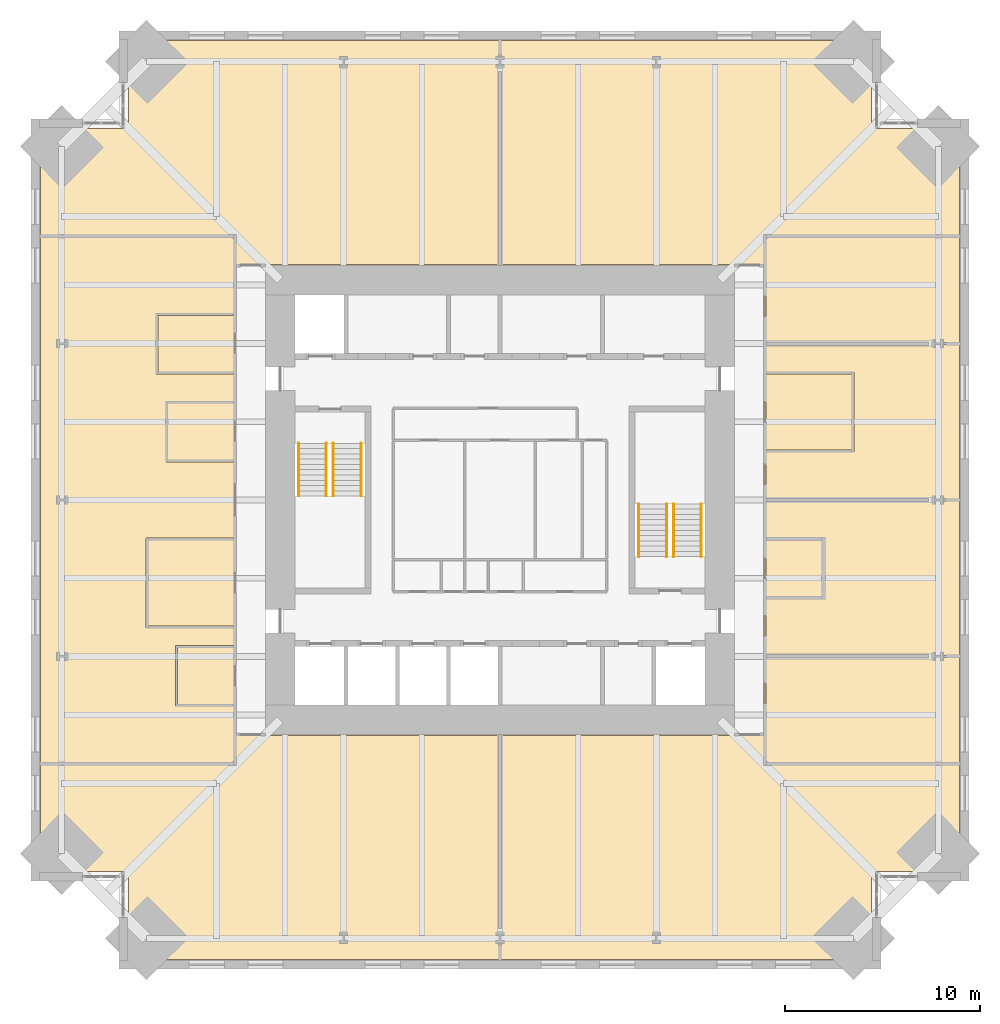
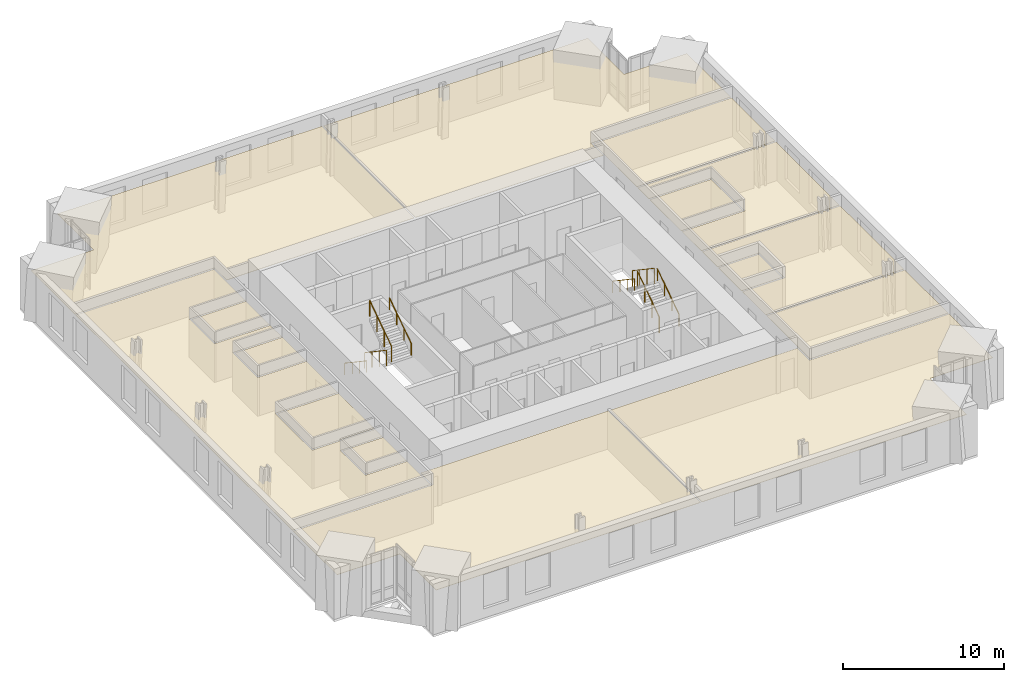
# One storey, part 15 of 15: 15 coverings, 8 railings.
"""IFC4 building model written with IfcOpenShell, lengths in metres."""

from ifc_helpers import new_model, si_unit, direction, frame, origin, origin_2d, place, context, subcontext, project, spatial, polyline, circle, outline, extrude, material, layer, layer_set, type_object, element, save


model = new_model("IFC4")

# Units and contexts
model_context = context("Model", 3, precision=1e-05, world=origin(), true_north=direction((0.0, 1.0)))
body_context = subcontext(model_context, "Body", "Model", "MODEL_VIEW")
ifc_project = project(units=[si_unit("LENGTHUNIT", "METRE"), si_unit("AREAUNIT", "SQUARE_METRE"), si_unit("VOLUMEUNIT", "CUBIC_METRE"), si_unit("PLANEANGLEUNIT", "RADIAN"), si_unit("MASSUNIT", "GRAM", prefix="KILO")], contexts=[model_context])

# Site, building, storey
site_placement = place(None, origin())
site = spatial("IfcSite", under=ifc_project, at=site_placement, CompositionType="ELEMENT")
building_placement = place(site_placement, origin())
building = spatial("IfcBuilding", under=site, at=building_placement, Name="Peilmerk Tower", CompositionType="ELEMENT")
storey_placement = place(building_placement, frame((0.0, 0.0, 209.800048828125)))
storey = spatial("IfcBuildingStorey", under=building, at=storey_placement, Name="L45", CompositionType="ELEMENT", Elevation=209.800048828125)

# Coverings
ifc_material_1 = material(Name="Mineral fibre ceiling tiles", Category="mineral")
ifc_layer = layer(ifc_material_1, 0.02490234375)
ifc_layer_set = layer_set([ifc_layer], Name="Mineral fibre ceiling tiles")
covering_type = type_object("IfcCoveringType", Name="CL1 25 suspended ceiling", PredefinedType="CEILING", material=ifc_layer_set)
covering_1_placement = place(storey_placement, frame((0.0, 0.0, 2.905029296875)))
element("IfcCovering", 1, at=covering_1_placement, inside=storey, type_object=covering_type, Name="Suspended ceiling Open workspace", PredefinedType="CEILING", context=body_context, shape_type="SweptSolid", body=[
    extrude(outline(polyline([(-23.5, 19.0), (-23.5, 13.550048828125), (-13.5, 13.550048828125), (-13.5, 12.050048828125), (-0.050048828125, 12.050048828125), (-0.050048828125, 23.5), (-19.0, 23.5), (-19.0, 19.0), (-23.5, 19.0)])), origin(), (0.0, 0.0, 1.0), 0.02490234375),
])
covering_2_placement = place(storey_placement, frame((0.0, 0.0, 2.905029296875)))
element("IfcCovering", 2, at=covering_2_placement, inside=storey, type_object=covering_type, Name="Suspended ceiling Project room", PredefinedType="CEILING", context=body_context, shape_type="SweptSolid", body=[
    extrude(outline(polyline([(19.0, 23.5), (0.050048828125, 23.5), (0.050048828125, 12.050048828125), (13.5, 12.050048828125), (13.5, 13.550048828125), (23.5, 13.550048828125), (23.5, 19.0), (19.0, 19.0), (19.0, 23.5)])), origin(), (0.0, 0.0, 1.0), 0.02490234375),
])
covering_3_placement = place(storey_placement, frame((0.0, 0.0, 2.905029296875)))
element("IfcCovering", 3, at=covering_3_placement, inside=storey, type_object=covering_type, Name="Suspended ceiling Office", PredefinedType="CEILING", context=body_context, shape_type="SweptSolid", body=[
    extrude(outline(polyline([(-19.0, -23.5), (-0.050048828125, -23.5), (-0.050048828125, -12.050048828125), (-13.5, -12.050048828125), (-13.5, -13.550048828125), (-23.5, -13.550048828125), (-23.5, -19.0), (-19.0, -19.0), (-19.0, -23.5)])), origin(), (0.0, 0.0, 1.0), 0.02490234375),
])
covering_4_placement = place(storey_placement, frame((0.0, 0.0, 2.905029296875)))
element("IfcCovering", 4, at=covering_4_placement, inside=storey, type_object=covering_type, Name="Suspended ceiling Open workspace", PredefinedType="CEILING", context=body_context, shape_type="SweptSolid", body=[
    extrude(outline(polyline([(0.050048828125, -23.5), (19.0, -23.5), (19.0, -19.0), (23.5, -19.0), (23.5, -13.550048828125), (13.5, -13.550048828125), (13.5, -12.050048828125), (0.050048828125, -12.050048828125), (0.050048828125, -23.5)])), origin(), (0.0, 0.0, 1.0), 0.02490234375),
])
covering_5_placement = place(storey_placement, frame((0.0, 0.0, 2.905029296875)))
element("IfcCovering", 5, at=covering_5_placement, inside=storey, type_object=covering_type, Name="Suspended ceiling Project room", PredefinedType="CEILING", context=body_context, shape_type="SweptSolid", body=[
    extrude(outline(polyline([(23.5, -13.449951171875), (23.5, -8.050048828125), (13.60009765625, -8.050048828125), (13.60009765625, -13.449951171875), (23.5, -13.449951171875)])), origin(), (0.0, 0.0, 1.0), 0.02490234375),
])
covering_6_placement = place(storey_placement, frame((0.0, 0.0, 2.905029296875)))
element("IfcCovering", 6, at=covering_6_placement, inside=storey, type_object=covering_type, Name="Suspended ceiling Office", PredefinedType="CEILING", context=body_context, shape_type="SweptSolid", body=[
    extrude(outline(polyline([(13.60009765625, -7.949951171875), (23.5, -7.949951171875), (23.5, -0.050048828125), (13.60009765625, -0.050048828125), (13.60009765625, -1.949951171875), (16.60009765625, -1.949951171875), (16.60009765625, -5.050048828125), (13.60009765625, -5.050048828125), (13.60009765625, -7.949951171875)])), origin(), (0.0, 0.0, 1.0), 0.02490234375),
])
covering_7_placement = place(storey_placement, frame((0.0, 0.0, 2.905029296875)))
element("IfcCovering", 7, at=covering_7_placement, inside=storey, type_object=covering_type, Name="Suspended ceiling Office", PredefinedType="CEILING", context=body_context, shape_type="SweptSolid", body=[
    extrude(outline(polyline([(13.60009765625, 0.050048828125), (23.5, 0.050048828125), (23.5, 7.949951171875), (13.60009765625, 7.949951171875), (13.60009765625, 6.550048828125), (18.10009765625, 6.550048828125), (18.10009765625, 2.449951171875), (13.60009765625, 2.449951171875), (13.60009765625, 0.050048828125)])), origin(), (0.0, 0.0, 1.0), 0.02490234375),
])
covering_8_placement = place(storey_placement, frame((0.0, 0.0, 2.905029296875)))
element("IfcCovering", 8, at=covering_8_placement, inside=storey, type_object=covering_type, Name="Suspended ceiling Wellness room", PredefinedType="CEILING", context=body_context, shape_type="SweptSolid", body=[
    extrude(outline(polyline([(23.5, 8.050048828125), (23.5, 13.449951171875), (13.60009765625, 13.449951171875), (13.60009765625, 8.050048828125), (23.5, 8.050048828125)])), origin(), (0.0, 0.0, 1.0), 0.02490234375),
])
covering_9_placement = place(storey_placement, frame((0.0, 0.0, 2.905029296875)))
element("IfcCovering", 9, at=covering_9_placement, inside=storey, type_object=covering_type, Name="Suspended ceiling Print room", PredefinedType="CEILING", context=body_context, shape_type="SweptSolid", body=[
    extrude(outline(polyline([(16.5, -4.949951171875), (16.5, -2.050048828125), (13.60009765625, -2.050048828125), (13.60009765625, -4.949951171875), (16.5, -4.949951171875)])), origin(), (0.0, 0.0, 1.0), 0.02490234375),
])
covering_10_placement = place(storey_placement, frame((0.0, 0.0, 2.905029296875)))
element("IfcCovering", 10, at=covering_10_placement, inside=storey, type_object=covering_type, Name="Suspended ceiling Meeting room", PredefinedType="CEILING", context=body_context, shape_type="SweptSolid", body=[
    extrude(outline(polyline([(18.0, 2.550048828125), (18.0, 6.449951171875), (13.60009765625, 6.449951171875), (13.60009765625, 2.550048828125), (18.0, 2.550048828125)])), origin(), (0.0, 0.0, 1.0), 0.02490234375),
])
covering_11_placement = place(storey_placement, frame((0.0, 0.0, 2.905029296875)))
element("IfcCovering", 11, at=covering_11_placement, inside=storey, type_object=covering_type, Name="Suspended ceiling Open workspace", PredefinedType="CEILING", context=body_context, shape_type="SweptSolid", body=[
    extrude(outline(polyline([(-13.60009765625, 13.449951171875), (-23.5, 13.449951171875), (-23.5, -13.449951171875), (-13.60009765625, -13.449951171875), (-13.60009765625, -10.550048828125), (-16.60009765625, -10.550048828125), (-16.60009765625, -7.449951171875), (-13.60009765625, -7.449951171875), (-13.60009765625, -6.550048828125), (-18.10009765625, -6.550048828125), (-18.10009765625, -1.949951171875), (-13.60009765625, -1.949951171875), (-13.60009765625, 1.949951171875), (-17.10009765625, 1.949951171875), (-17.10009765625, 5.050048828125), (-13.60009765625, 5.050048828125), (-13.60009765625, 6.449951171875), (-17.60009765625, 6.449951171875), (-17.60009765625, 9.550048828125), (-13.60009765625, 9.550048828125), (-13.60009765625, 13.449951171875)])), origin(), (0.0, 0.0, 1.0), 0.02490234375),
])
covering_12_placement = place(storey_placement, frame((0.0, 0.0, 2.905029296875)))
element("IfcCovering", 12, at=covering_12_placement, inside=storey, type_object=covering_type, Name="Suspended ceiling Meeting room", PredefinedType="CEILING", context=body_context, shape_type="SweptSolid", body=[
    extrude(outline(polyline([(-13.60009765625, -6.449951171875), (-13.60009765625, -2.050048828125), (-18.0, -2.050048828125), (-18.0, -6.449951171875), (-13.60009765625, -6.449951171875)])), origin(), (0.0, 0.0, 1.0), 0.02490234375),
])
covering_13_placement = place(storey_placement, frame((0.0, 0.0, 2.905029296875)))
element("IfcCovering", 13, at=covering_13_placement, inside=storey, type_object=covering_type, Name="Suspended ceiling Quiet room", PredefinedType="CEILING", context=body_context, shape_type="SweptSolid", body=[
    extrude(outline(polyline([(-13.60009765625, 2.050048828125), (-13.60009765625, 4.949951171875), (-17.0, 4.949951171875), (-17.0, 2.050048828125), (-13.60009765625, 2.050048828125)])), origin(), (0.0, 0.0, 1.0), 0.02490234375),
])
covering_14_placement = place(storey_placement, frame((0.0, 0.0, 2.905029296875)))
element("IfcCovering", 14, at=covering_14_placement, inside=storey, type_object=covering_type, Name="Suspended ceiling Pantry", PredefinedType="CEILING", context=body_context, shape_type="SweptSolid", body=[
    extrude(outline(polyline([(-13.60009765625, 6.550048828125), (-13.60009765625, 9.449951171875), (-17.5, 9.449951171875), (-17.5, 6.550048828125), (-13.60009765625, 6.550048828125)])), origin(), (0.0, 0.0, 1.0), 0.02490234375),
])
covering_15_placement = place(storey_placement, frame((0.0, 0.0, 2.905029296875)))
element("IfcCovering", 15, at=covering_15_placement, inside=storey, type_object=covering_type, Name="Suspended ceiling Quiet room", PredefinedType="CEILING", context=body_context, shape_type="SweptSolid", body=[
    extrude(outline(polyline([(-13.60009765625, -10.449951171875), (-13.60009765625, -7.550048828125), (-16.5, -7.550048828125), (-16.5, -10.449951171875), (-13.60009765625, -10.449951171875)])), origin(), (0.0, 0.0, 1.0), 0.02490234375),
])

# Railings
ifc_material_2 = material(Name="Steel flat bar balustrade", Category="steel")
railing_type_1 = type_object("IfcRailingType", Name="GR1 1200 stair guard", PredefinedType="GUARDRAIL", material=ifc_material_2)
railing_1_placement = place(storey_placement, frame((-8.8798828125, 2.89990234375, 0.181884765625)))
element("IfcRailing", 16, at=railing_1_placement, inside=storey, type_object=railing_type_1, Name="Guard stair 1 L45", PredefinedType="GUARDRAIL", context=body_context, shape_type="SweptSolid", body=[
    extrude(circle(Radius=0.02392578125, at=origin_2d()), frame((0.0, 0.0, 1.17578125), z_axis=(0.0, -0.829468130872, 0.55855404382), x_axis=(1.0, 0.0, 0.0)), (0.0, 0.0, 1.0), 3.255126953125),
    extrude(circle(Radius=0.02099609375, at=origin_2d()), origin(), (0.0, 0.0, 1.0), 1.15185546875),
    extrude(circle(Radius=0.02099609375, at=origin_2d()), frame((0.0, -0.89990234375, 0.60595703125)), (0.0, 0.0, 1.0), 1.15185546875),
    extrude(circle(Radius=0.02099609375, at=origin_2d()), frame((0.0, -1.800048828125, 1.212158203125)), (0.0, 0.0, 1.0), 1.15185546875),
    extrude(circle(Radius=0.02099609375, at=origin_2d()), frame((0.0, -2.699951171875, 1.818115234375)), (0.0, 0.0, 1.0), 1.15185546875),
])
for number, where, name in (
    (17, (-8.52001953125, 0.199951171875, 2.181884765625), "Guard stair 1 L45"),
    (18, (8.8798828125, -2.89990234375, 0.181884765625), "Guard stair 2 L45"),
):
    element("IfcRailing", number, at=place(storey_placement, frame(where)), inside=storey, type_object=railing_type_1, Name=name, PredefinedType="GUARDRAIL", context=body_context, shape_type="SweptSolid", body=[
        extrude(circle(Radius=0.02392578125, at=origin_2d()), frame((0.0, 0.0, 1.17578125), z_axis=(0.0, 0.829468130872, 0.55855404382), x_axis=(-1.0, 0.0, 0.0)), (0.0, 0.0, 1.0), 3.255126953125),
        extrude(circle(Radius=0.02099609375, at=origin_2d()), origin(), (0.0, 0.0, 1.0), 1.15185546875),
        extrude(circle(Radius=0.02099609375, at=origin_2d()), frame((0.0, 0.89990234375, 0.60595703125)), (0.0, 0.0, 1.0), 1.15185546875),
        extrude(circle(Radius=0.02099609375, at=origin_2d()), frame((0.0, 1.800048828125, 1.212158203125)), (0.0, 0.0, 1.0), 1.15185546875),
        extrude(circle(Radius=0.02099609375, at=origin_2d()), frame((0.0, 2.699951171875, 1.818115234375)), (0.0, 0.0, 1.0), 1.15185546875),
    ])
railing_2_placement = place(storey_placement, frame((8.52001953125, -0.199951171875, 2.181884765625)))
element("IfcRailing", 19, at=railing_2_placement, inside=storey, type_object=railing_type_1, Name="Guard stair 2 L45", PredefinedType="GUARDRAIL", context=body_context, shape_type="SweptSolid", body=[
    extrude(circle(Radius=0.02392578125, at=origin_2d()), frame((0.0, 0.0, 1.17578125), z_axis=(0.0, -0.829468130872, 0.55855404382), x_axis=(1.0, 0.0, 0.0)), (0.0, 0.0, 1.0), 3.255126953125),
    extrude(circle(Radius=0.02099609375, at=origin_2d()), origin(), (0.0, 0.0, 1.0), 1.15185546875),
    extrude(circle(Radius=0.02099609375, at=origin_2d()), frame((0.0, -0.89990234375, 0.60595703125)), (0.0, 0.0, 1.0), 1.15185546875),
    extrude(circle(Radius=0.02099609375, at=origin_2d()), frame((0.0, -1.800048828125, 1.212158203125)), (0.0, 0.0, 1.0), 1.15185546875),
    extrude(circle(Radius=0.02099609375, at=origin_2d()), frame((0.0, -2.699951171875, 1.818115234375)), (0.0, 0.0, 1.0), 1.15185546875),
])
ifc_material_3 = material(Name="Stainless steel tube", Category="steel")
railing_type_2 = type_object("IfcRailingType", Name="HR1 900 stair handrail", PredefinedType="HANDRAIL", material=ifc_material_3)
railing_3_placement = place(storey_placement, frame((-10.300048828125, 2.89990234375, 0.181884765625)))
element("IfcRailing", 20, at=railing_3_placement, inside=storey, type_object=railing_type_2, Name="Handrail stair 1 L45", PredefinedType="HANDRAIL", context=body_context, shape_type="SweptSolid", body=[
    extrude(circle(Radius=0.02392578125, at=origin_2d()), frame((0.0, 0.0, 0.8759765625), z_axis=(0.0, -0.829468130872, 0.55855404382), x_axis=(1.0, 0.0, 0.0)), (0.0, 0.0, 1.0), 3.255126953125),
    extrude(circle(Radius=0.02099609375, at=origin_2d()), origin(), (0.0, 0.0, 1.0), 0.851806640625),
    extrude(circle(Radius=0.02099609375, at=origin_2d()), frame((0.0, -0.89990234375, 0.60595703125)), (0.0, 0.0, 1.0), 0.851806640625),
    extrude(circle(Radius=0.02099609375, at=origin_2d()), frame((0.0, -1.800048828125, 1.212158203125)), (0.0, 0.0, 1.0), 0.851806640625),
    extrude(circle(Radius=0.02099609375, at=origin_2d()), frame((0.0, -2.699951171875, 1.818115234375)), (0.0, 0.0, 1.0), 0.851806640625),
])
for number, where, name in (
    (21, (-7.10009765625, 0.199951171875, 2.181884765625), "Handrail stair 1 L45"),
    (22, (10.300048828125, -2.89990234375, 0.181884765625), "Handrail stair 2 L45"),
):
    element("IfcRailing", number, at=place(storey_placement, frame(where)), inside=storey, type_object=railing_type_2, Name=name, PredefinedType="HANDRAIL", context=body_context, shape_type="SweptSolid", body=[
        extrude(circle(Radius=0.02392578125, at=origin_2d()), frame((0.0, 0.0, 0.8759765625), z_axis=(0.0, 0.829468130872, 0.55855404382), x_axis=(-1.0, 0.0, 0.0)), (0.0, 0.0, 1.0), 3.255126953125),
        extrude(circle(Radius=0.02099609375, at=origin_2d()), origin(), (0.0, 0.0, 1.0), 0.851806640625),
        extrude(circle(Radius=0.02099609375, at=origin_2d()), frame((0.0, 0.89990234375, 0.60595703125)), (0.0, 0.0, 1.0), 0.851806640625),
        extrude(circle(Radius=0.02099609375, at=origin_2d()), frame((0.0, 1.800048828125, 1.212158203125)), (0.0, 0.0, 1.0), 0.851806640625),
        extrude(circle(Radius=0.02099609375, at=origin_2d()), frame((0.0, 2.699951171875, 1.818115234375)), (0.0, 0.0, 1.0), 0.851806640625),
    ])
railing_4_placement = place(storey_placement, frame((7.10009765625, -0.199951171875, 2.181884765625)))
element("IfcRailing", 23, at=railing_4_placement, inside=storey, type_object=railing_type_2, Name="Handrail stair 2 L45", PredefinedType="HANDRAIL", context=body_context, shape_type="SweptSolid", body=[
    extrude(circle(Radius=0.02392578125, at=origin_2d()), frame((0.0, 0.0, 0.8759765625), z_axis=(0.0, -0.829468130872, 0.55855404382), x_axis=(1.0, 0.0, 0.0)), (0.0, 0.0, 1.0), 3.255126953125),
    extrude(circle(Radius=0.02099609375, at=origin_2d()), origin(), (0.0, 0.0, 1.0), 0.851806640625),
    extrude(circle(Radius=0.02099609375, at=origin_2d()), frame((0.0, -0.89990234375, 0.60595703125)), (0.0, 0.0, 1.0), 0.851806640625),
    extrude(circle(Radius=0.02099609375, at=origin_2d()), frame((0.0, -1.800048828125, 1.212158203125)), (0.0, 0.0, 1.0), 0.851806640625),
    extrude(circle(Radius=0.02099609375, at=origin_2d()), frame((0.0, -2.699951171875, 1.818115234375)), (0.0, 0.0, 1.0), 0.851806640625),
])

save(model, "model.ifc")
